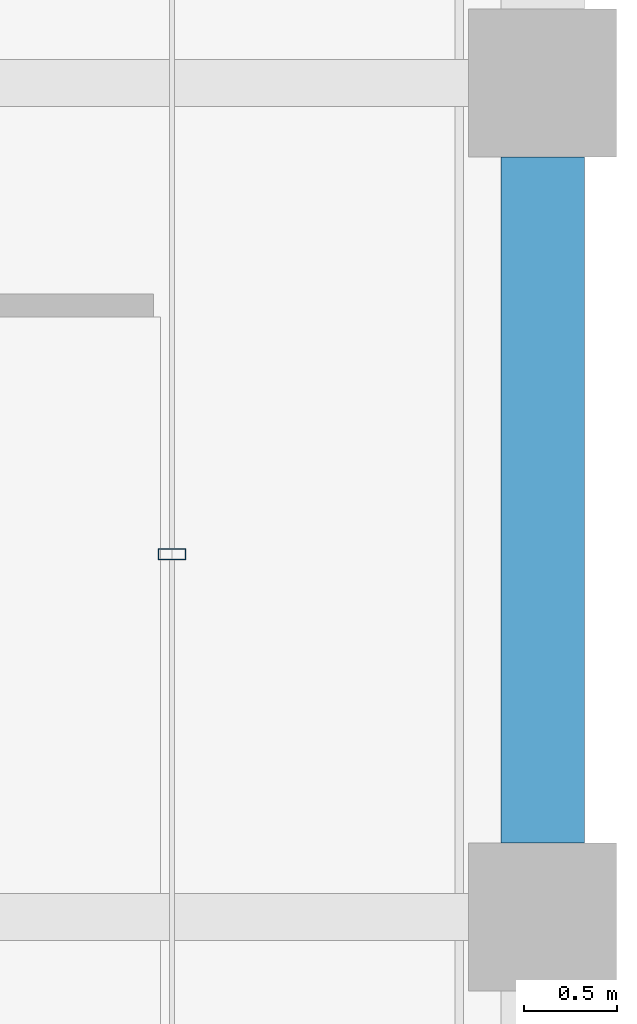
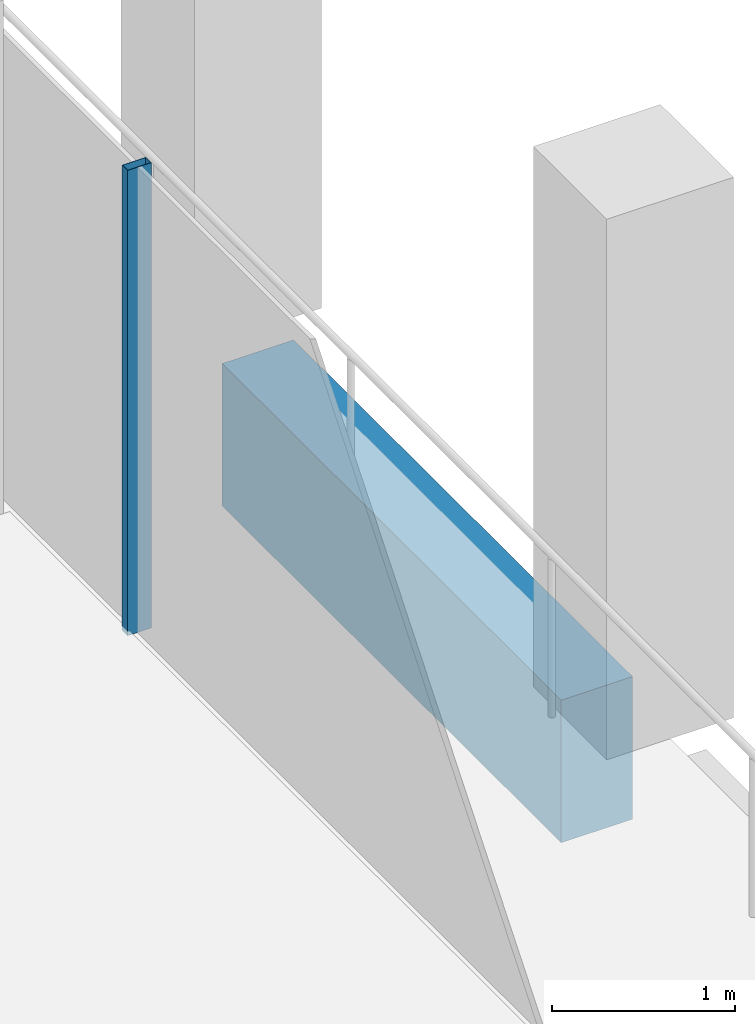
# One storey, part 17 of 30: 1 beam, 1 member, 1 element without a shape of its own.
"""IFC4 building model written with IfcOpenShell, lengths in metres."""

from ifc_helpers import new_model, si_unit, direction, frame, origin, origin_2d, place, context, subcontext, project, spatial, rectangle, hollow_rectangle, extrude, material, material_profile, profile_set, type_object, element, aggregate, save


model = new_model("IFC4")

# Units and contexts
model_context = context("Model", 3, precision=1e-05, world=origin(), true_north=direction((0.0, 1.0)))
body_context = subcontext(model_context, "Body", "Model", "MODEL_VIEW")
ifc_project = project(units=[si_unit("LENGTHUNIT", "METRE"), si_unit("AREAUNIT", "SQUARE_METRE"), si_unit("VOLUMEUNIT", "CUBIC_METRE"), si_unit("PLANEANGLEUNIT", "RADIAN"), si_unit("MASSUNIT", "GRAM", prefix="KILO")], contexts=[model_context])

# Site, building, storey
site_placement = place(None, origin())
site = spatial("IfcSite", under=ifc_project, at=site_placement, CompositionType="ELEMENT")
building_placement = place(site_placement, origin())
building = spatial("IfcBuilding", under=site, at=building_placement, Name="Altepetl Exchange Towers", CompositionType="ELEMENT")
storey_placement = place(building_placement, frame((0.0, 0.0, 217.199951171875)))
storey = spatial("IfcBuildingStorey", under=building, at=storey_placement, Name="L55", CompositionType="ELEMENT", Elevation=217.199951171875)

# Curtain wall, member
ifc_material_1 = material(Name="Aluminium 6063-T6 glazing", Category="aluminium")
curtain_wall_type = type_object("IfcCurtainWallType", Name="Loggia glazing system", PredefinedType="NOTDEFINED", material=ifc_material_1)
curtain_wall_placement = place(storey_placement, origin())
curtain_wall = element("IfcCurtainWall", 1, at=curtain_wall_placement, inside=storey, type_object=curtain_wall_type, Name="CW1 run", PredefinedType="NOTDEFINED")
ifc_material_2 = material(Name="Aluminium 6063-T6", Category="aluminium")
ifc_material_profile_1 = material_profile(ifc_material_2, hollow_rectangle(XDim=0.06005859375, YDim=0.14990234375, WallThickness=0.0029296875, at=origin_2d()), Name="Mullion 60x150 aluminium")
ifc_profile_set_1 = profile_set([ifc_material_profile_1], Name="Aluminium 6063-T6")
member_type = type_object("IfcMemberType", Name="Mullion 60x150 aluminium", PredefinedType="MULLION", material=ifc_profile_set_1)
member_placement = place(storey_placement, frame((70.0, 46.9580078125, 0.0), z_axis=(0.0, 0.0, 1.0), x_axis=(0.0, 1.0, 0.0)))
member = element("IfcMember", 2, at=member_placement, type_object=member_type, Name="MU1 mullion", PredefinedType="MULLION", context=body_context, shape_type="SweptSolid", body=[
    extrude(hollow_rectangle(XDim=0.06005859375, YDim=0.14990234375, WallThickness=0.0029296875, at=origin_2d()), origin(), (0.0, 0.0, 1.0), 3.10009765625),
])
aggregate(curtain_wall, [member])

# Beam
ifc_material_3 = material(Name="Concrete C50/60 precast with cantera amarilla facing", Category="concrete")
ifc_material_profile_2 = material_profile(ifc_material_3, rectangle(XDim=0.449951171875, YDim=0.949951171875, at=origin_2d()), Name="450 x 950")
ifc_profile_set_2 = profile_set([ifc_material_profile_2], Name="Concrete C50/60 precast with cantera amarilla facing")
beam_type = type_object("IfcBeamType", Name="Spandrel beam 450x950 cantera amarilla", PredefinedType="SPANDREL", material=ifc_profile_set_2)
beam_placement = place(storey_placement, frame((72.0, 45.39990234375, -0.625), z_axis=(0.0, 1.0, 0.0), x_axis=(-1.0, 0.0, 0.0)))
element("IfcBeam", 3, at=beam_placement, inside=storey, type_object=beam_type, Name="sp:A:L55:015", PredefinedType="SPANDREL", context=body_context, shape_type="SweptSolid", body=[
    extrude(rectangle(XDim=0.449951171875, YDim=0.949951171875, at=origin_2d()), origin(), (0.0, 0.0, 1.0), 3.7001953125),
])

save(model, "model.ifc")
